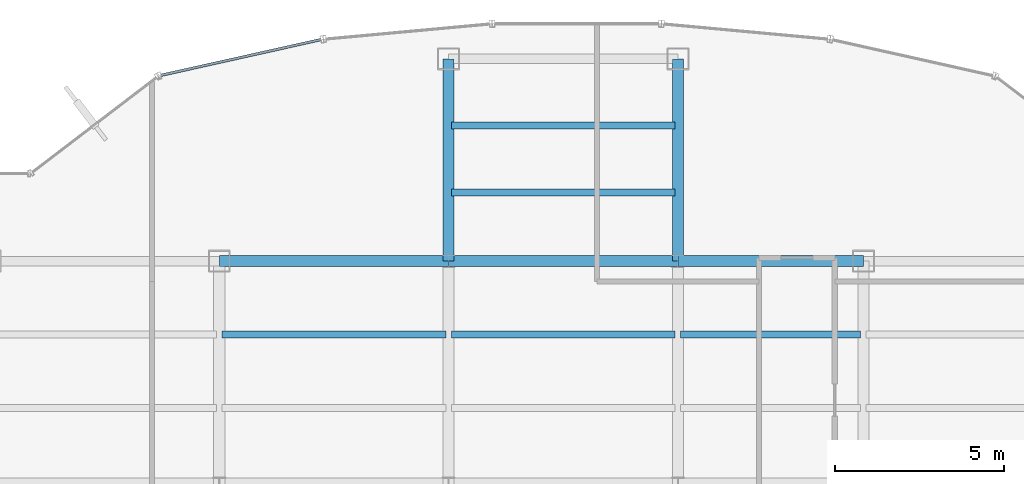
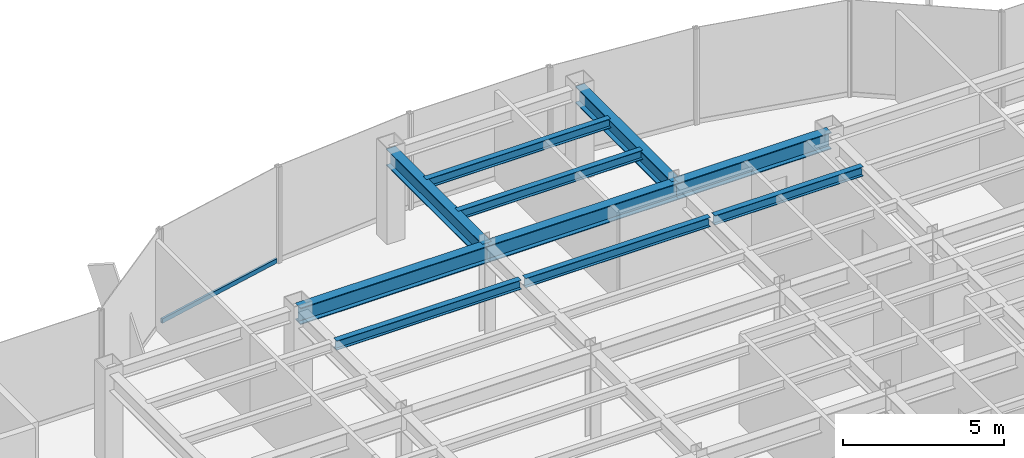
# One storey, part 15 of 25: 10 beams, 1 member, 1 element without a shape of its own.
"""IFC4 building model written with IfcOpenShell, lengths in metres."""

from ifc_helpers import new_model, si_unit, derived_unit, direction, frame, origin, origin_2d, place, context, subcontext, project, spatial, hollow_rectangle, i_section, extrude, source, transform, mapped, material, material_profile, profile_set, type_object, element, aggregate, save


model = new_model("IFC4")

# Units and contexts
model_context = context("Model", 3, precision=1e-05, world=origin(), true_north=direction((0.0, 1.0)))
body_context = subcontext(model_context, "Body", "Model", "MODEL_VIEW")
ifc_project = project(units=[si_unit("LENGTHUNIT", "METRE"), si_unit("AREAUNIT", "SQUARE_METRE"), si_unit("VOLUMEUNIT", "CUBIC_METRE"), si_unit("PLANEANGLEUNIT", "RADIAN"), si_unit("MASSUNIT", "GRAM", prefix="KILO"), derived_unit("THERMALTRANSMITTANCEUNIT", [(si_unit("POWERUNIT", "WATT"), 1), (si_unit("LENGTHUNIT", "METRE"), -2), (si_unit("THERMODYNAMICTEMPERATUREUNIT", "KELVIN"), -1)])], contexts=[model_context])

# Site, building, storey
site_placement = place(None, origin())
site = spatial("IfcSite", under=ifc_project, at=site_placement, CompositionType="ELEMENT")
building_placement = place(site_placement, origin())
building = spatial("IfcBuilding", under=site, at=building_placement, Name="Skarnbrae Concourse Arena and Tower", CompositionType="ELEMENT")
storey_placement = place(building_placement, frame((0.0, 0.0, 166.14990234375)))
storey = spatial("IfcBuildingStorey", under=building, at=storey_placement, Name="L42", CompositionType="ELEMENT", Elevation=166.14990234375)

# Beams
ifc_material_1 = material(Name="Steel CSA G40.21 350W", Category="steel")
ifc_material_profile_1 = material_profile(ifc_material_1, i_section(OverallWidth=0.3291015625, OverallDepth=0.635009765625, WebThickness=0.017822265625, FlangeThickness=0.031005859375, at=origin_2d()), Name="W610X241")
ifc_profile_set_1 = profile_set([ifc_material_profile_1], Name="Steel CSA G40.21 350W")
beam_type_1 = type_object("IfcBeamType", Name="BM-GIRD-W610X241", PredefinedType="BEAM", material=ifc_profile_set_1)
shared_shape_1 = source(origin(), body_context, "Body", "SweptSolid", [
    extrude(i_section(OverallWidth=0.3291015625, OverallDepth=0.635009765625, WebThickness=0.017822265625, FlangeThickness=0.031005859375, at=origin_2d()), origin(), (0.0, 0.0, 1.0), 6.800048828125),
])
for number, where, z_axis, x_axis, name in (
    (1, (14.39990234375, 34.39990234375, 3.08251953125), (1.0, 0.0, 0.0), (0.0, 1.0, 0.0), "L42 Primary E-W girder Y34.4-2"),
    (2, (21.199951171875, 34.39990234375, 3.08251953125), (1.0, 0.0, 0.0), (0.0, 1.0, 0.0), "L42 Primary E-W girder Y34.4-3"),
):
    element("IfcBeam", number, at=place(storey_placement, frame(where, z_axis=z_axis, x_axis=x_axis)), inside=storey, type_object=beam_type_1, Name=name, PredefinedType="BEAM", context=body_context, shape_type="MappedRepresentation", body=[
        mapped(shared_shape_1, transform((0.0, 0.0, 0.0))),
    ])
shared_shape_2 = source(origin(), body_context, "Body", "SweptSolid", [
    extrude(i_section(OverallWidth=0.3291015625, OverallDepth=0.635009765625, WebThickness=0.017822265625, FlangeThickness=0.031005859375, at=origin_2d()), origin(), (0.0, 0.0, 1.0), 5.5),
])
beam_1_placement = place(storey_placement, frame((28.0, 34.39990234375, 3.08251953125), z_axis=(1.0, 0.0, 0.0), x_axis=(0.0, 1.0, 0.0)))
element("IfcBeam", 3, at=beam_1_placement, inside=storey, type_object=beam_type_1, Name="L42 Primary E-W girder Y34.4-4", PredefinedType="BEAM", context=body_context, shape_type="MappedRepresentation", body=[
    mapped(shared_shape_2, transform((0.0, 0.0, 0.0))),
])
shared_shape_3 = source(origin(), body_context, "Body", "SweptSolid", [
    extrude(i_section(OverallWidth=0.3291015625, OverallDepth=0.635009765625, WebThickness=0.017822265625, FlangeThickness=0.031005859375, at=origin_2d()), origin(), (0.0, 0.0, 1.0), 6.0),
])
for number, where, z_axis, x_axis, name in (
    (4, (21.199951171875, 34.39990234375, 3.08251953125), (0.0, 1.0, 0.0), (-1.0, 0.0, 0.0), "L42 Primary N-S girder X21.2-4"),
    (5, (28.0, 34.39990234375, 3.08251953125), (0.0, 1.0, 0.0), (-1.0, 0.0, 0.0), "L42 Primary N-S girder X28.0-4"),
):
    element("IfcBeam", number, at=place(storey_placement, frame(where, z_axis=z_axis, x_axis=x_axis)), inside=storey, type_object=beam_type_1, Name=name, PredefinedType="BEAM", context=body_context, shape_type="MappedRepresentation", body=[
        mapped(shared_shape_3, transform((0.0, 0.0, 0.0))),
    ])
ifc_material_profile_2 = material_profile(ifc_material_1, i_section(OverallWidth=0.205078125, OverallDepth=0.35400390625, WebThickness=0.009521484375, FlangeThickness=0.016845703125, at=origin_2d()), Name="W360X79")
ifc_profile_set_2 = profile_set([ifc_material_profile_2], Name="Steel CSA G40.21 350W")
beam_type_2 = type_object("IfcBeamType", Name="BM-JOIST-W360X79", PredefinedType="JOIST", material=ifc_profile_set_2)
shared_shape_4 = source(origin(), body_context, "Body", "SweptSolid", [
    extrude(i_section(OverallWidth=0.205078125, OverallDepth=0.35400390625, WebThickness=0.009521484375, FlangeThickness=0.016845703125, at=origin_2d()), origin(), (0.0, 0.0, 1.0), 6.64013671875),
])
beam_2_placement = place(storey_placement, frame((14.47998046875, 32.221923828125, 3.22314453125), z_axis=(1.0, 0.0, 0.0), x_axis=(0.0, 1.0, 0.0)))
element("IfcBeam", 6, at=beam_2_placement, inside=storey, type_object=beam_type_2, Name="L42 Secondary floor joist 3.2.2", PredefinedType="JOIST", context=body_context, shape_type="MappedRepresentation", body=[
    mapped(shared_shape_4, transform((0.0, 0.0, 0.0))),
])
shared_shape_5 = source(origin(), body_context, "Body", "SweptSolid", [
    extrude(i_section(OverallWidth=0.205078125, OverallDepth=0.35400390625, WebThickness=0.009521484375, FlangeThickness=0.016845703125, at=origin_2d()), origin(), (0.0, 0.0, 1.0), 6.639892578125),
])
for number, where, z_axis, x_axis, name in (
    (7, (21.280029296875, 32.221923828125, 3.22314453125), (1.0, 0.0, 0.0), (0.0, 1.0, 0.0), "L42 Secondary floor joist 3.2.3"),
    (8, (21.280029296875, 36.43994140625, 3.22314453125), (1.0, 0.0, 0.0), (0.0, 1.0, 0.0), "L42 Secondary floor joist 4.1.1"),
    (9, (21.280029296875, 38.419921875, 3.22314453125), (1.0, 0.0, 0.0), (0.0, 1.0, 0.0), "L42 Secondary floor joist 4.2.1"),
):
    element("IfcBeam", number, at=place(storey_placement, frame(where, z_axis=z_axis, x_axis=x_axis)), inside=storey, type_object=beam_type_2, Name=name, PredefinedType="JOIST", context=body_context, shape_type="MappedRepresentation", body=[
        mapped(shared_shape_5, transform((0.0, 0.0, 0.0))),
    ])
shared_shape_6 = source(origin(), body_context, "Body", "SweptSolid", [
    extrude(i_section(OverallWidth=0.205078125, OverallDepth=0.35400390625, WebThickness=0.009521484375, FlangeThickness=0.016845703125, at=origin_2d()), origin(), (0.0, 0.0, 1.0), 5.33984375),
])
beam_3_placement = place(storey_placement, frame((28.080078125, 32.221923828125, 3.22314453125), z_axis=(1.0, 0.0, 0.0), x_axis=(0.0, 1.0, 0.0)))
element("IfcBeam", 10, at=beam_3_placement, inside=storey, type_object=beam_type_2, Name="L42 Secondary floor joist 3.2.4", PredefinedType="JOIST", context=body_context, shape_type="MappedRepresentation", body=[
    mapped(shared_shape_6, transform((0.0, 0.0, 0.0))),
])

# Curtain wall, member
ifc_material_2 = material(Name="Bronze anodised aluminium 6063-T6", Category="aluminium")
curtain_wall_type = type_object("IfcCurtainWallType", Name="CW-SYS-03-PORTAL", PredefinedType="USERDEFINED", material=ifc_material_2)
curtain_wall_placement = place(storey_placement, origin())
curtain_wall = element("IfcCurtainWall", 11, at=curtain_wall_placement, inside=storey, type_object=curtain_wall_type, Name="L42 Unitised curtain wall CW-L42-E13", ObjectType="UNITISED CURTAIN WALL", PredefinedType="USERDEFINED")
ifc_material_profile_3 = material_profile(ifc_material_2, hollow_rectangle(XDim=0.080078125, YDim=0.169921875, WallThickness=0.00439453125, at=origin_2d()), Name="ALU-TRAN-80X170")
ifc_profile_set_3 = profile_set([ifc_material_profile_3], Name="Bronze anodised aluminium 6063-T6")
member_type = type_object("IfcMemberType", Name="CWT-CW-03", PredefinedType="USERDEFINED", material=ifc_profile_set_3)
shared_shape_7 = source(origin(), body_context, "Body", "SweptSolid", [
    extrude(hollow_rectangle(XDim=0.080078125, YDim=0.169921875, WallThickness=0.00439453125, at=origin_2d()), origin(), (0.0, 0.0, 1.0), 4.85791015625),
])
member_placement = place(storey_placement, frame((17.40966796875, 40.969482421875, 0.085205078125), z_axis=(-0.975934527506, -0.21806374761, 0.0), x_axis=(0.21806374761, -0.975934527506, 0.0)))
member = element("IfcMember", 12, at=member_placement, type_object=member_type, Name="CW-L42-E13 Transom 1", ObjectType="TRANSOM", PredefinedType="USERDEFINED", context=body_context, shape_type="MappedRepresentation", body=[
    mapped(shared_shape_7, transform((0.0, 0.0, 0.0))),
])
aggregate(curtain_wall, [member])

save(model, "model.ifc")
